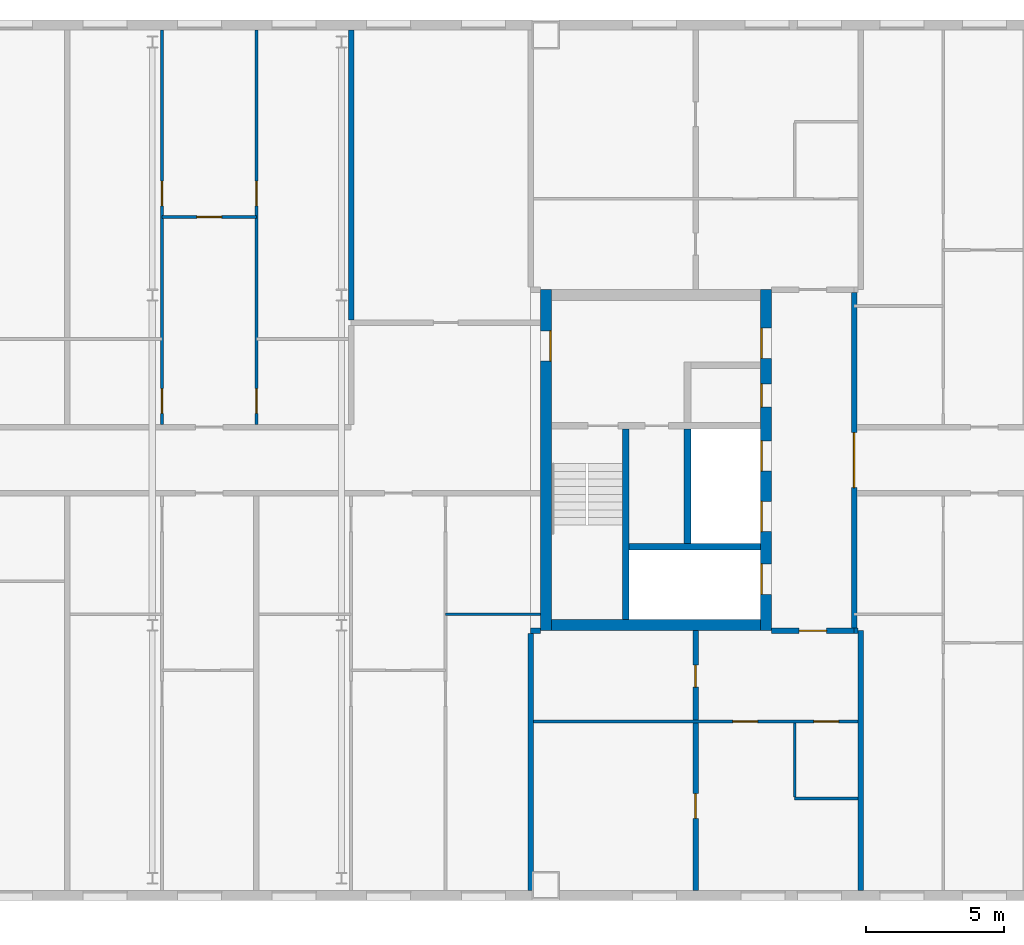
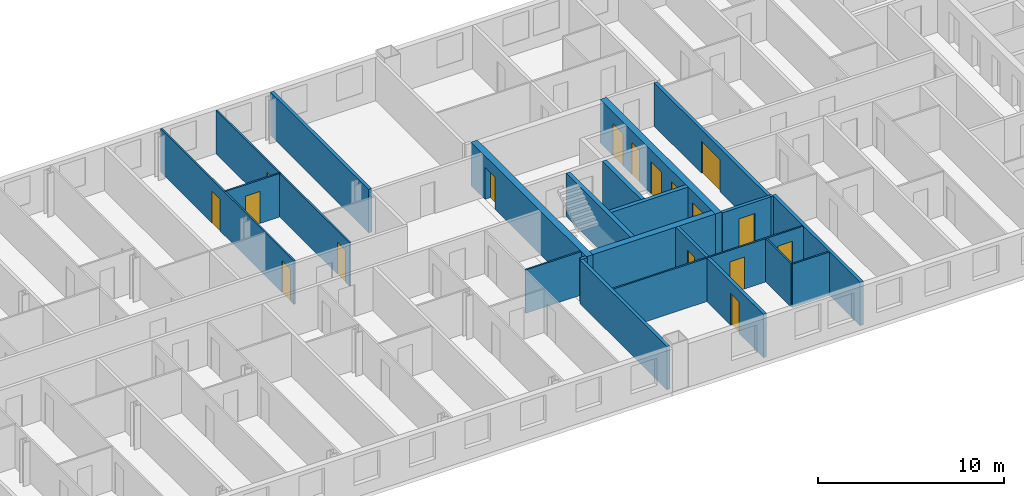
# One storey, part 13 of 19: 21 walls, 17 doors, 17 openings.
"""IFC4 building model written with IfcOpenShell, lengths in metres."""

from ifc_helpers import new_model, si_unit, direction, frame, frame_2d, origin, place, context, subcontext, project, spatial, rectangle, extrude, material, layer, layer_set, type_object, element, fill, save


model = new_model("IFC4")

# Units and contexts
model_context = context("Model", 3, precision=1e-05, world=origin(), true_north=direction((0.0, 1.0)))
body_context = subcontext(model_context, "Body", "Model", "MODEL_VIEW")
ifc_project = project(units=[si_unit("LENGTHUNIT", "METRE"), si_unit("AREAUNIT", "SQUARE_METRE"), si_unit("VOLUMEUNIT", "CUBIC_METRE"), si_unit("PLANEANGLEUNIT", "RADIAN"), si_unit("MASSUNIT", "GRAM", prefix="KILO")], contexts=[model_context])

# Site, building, storey
site_placement = place(None, origin())
site = spatial("IfcSite", under=ifc_project, at=site_placement, CompositionType="ELEMENT")
building_placement = place(site_placement, origin())
building = spatial("IfcBuilding", under=site, at=building_placement, Name="Tuart Gate Housing", CompositionType="ELEMENT")
storey_placement = place(building_placement, frame((0.0, 0.0, 212.10009765625)))
storey = spatial("IfcBuildingStorey", under=building, at=storey_placement, Name="L60", CompositionType="ELEMENT", Elevation=212.10009765625)

# Walls
ifc_material_1 = material(Name="Concrete C40", Category="concrete")
ifc_layer_1 = layer(ifc_material_1, 0.25)
ifc_layer_set_1 = layer_set([ifc_layer_1], Name="Core wall 250 C40")
wall_type_1 = type_object("IfcWallType", Name="Core wall 250 C40", PredefinedType="SHEAR", material=ifc_layer_set_1)
wall_1_placement = place(storey_placement, frame((139.360107421875, 66.85009765625, 0.0), z_axis=(0.0, 0.0, 1.0), x_axis=(-1.0, 0.0, 0.0)))
element("IfcWall", 1, at=wall_1_placement, inside=storey, type_object=wall_type_1, Name="Core wall BG.1", PredefinedType="SHEAR", context=body_context, shape_type="SweptSolid", body=[
    extrude(rectangle(XDim=4.775146484375, YDim=0.25, at=frame_2d((2.3876953125, 0.0))), origin(), (0.0, 0.0, 1.0), 2.849853515625),
])
wall_2_placement = place(storey_placement, frame((136.7099609375, 66.97509765625, 0.0), z_axis=(0.0, 0.0, 1.0), x_axis=(0.0, 1.0, 0.0)))
element("IfcWall", 2, at=wall_2_placement, inside=storey, type_object=wall_type_1, Name="Core wall BG.4", PredefinedType="SHEAR", context=body_context, shape_type="SweptSolid", body=[
    extrude(rectangle(XDim=4.14990234375, YDim=0.25, at=frame_2d((2.074951171875, 0.0))), origin(), (0.0, 0.0, 1.0), 2.849853515625),
])
wall_3_placement = place(storey_placement, frame((134.4599609375, 64.199951171875, 0.0), z_axis=(0.0, 0.0, 1.0), x_axis=(0.0, 1.0, 0.0)))
element("IfcWall", 3, at=wall_3_placement, inside=storey, type_object=wall_type_1, Name="Core wall BG.6", PredefinedType="SHEAR", context=body_context, shape_type="SweptSolid", body=[
    extrude(rectangle(XDim=6.925048828125, YDim=0.25, at=frame_2d((3.46240234375, 0.0))), origin(), (0.0, 0.0, 1.0), 2.849853515625),
])

# Wall, openings, doors
ifc_material_2 = material(Name="Concrete C40", Category="concrete")
ifc_layer_2 = layer(ifc_material_2, 0.39990234375)
ifc_layer_set_2 = layer_set([ifc_layer_2], Name="Core wall 400 C40")
wall_type_2 = type_object("IfcWallType", Name="Core wall 400 C40", PredefinedType="SHEAR", material=ifc_layer_set_2)
wall_4_placement = place(storey_placement, frame((139.56005859375, 63.800048828125, 0.0), z_axis=(0.0, 0.0, 1.0), x_axis=(0.0, 1.0, 0.0)))
wall_4 = element("IfcWall", 4, at=wall_4_placement, inside=storey, type_object=wall_type_2, Name="Core wall BG front", PredefinedType="SHEAR", context=body_context, shape_type="SweptSolid", body=[
    extrude(rectangle(XDim=12.39990234375, YDim=0.39990234375, at=frame_2d((6.199951171875, 0.0))), origin(), (0.0, 0.0, 1.0), 2.849853515625),
])
opening_1_placement = place(wall_4_placement, frame((1.324951171875, 0.0, 0.0)))
opening_1 = element("IfcOpeningElement", 5, at=opening_1_placement, cuts=wall_4, Name="Opening LD-FB1", PredefinedType="OPENING", context=body_context, shape_type="SweptSolid", body=[
    extrude(rectangle(XDim=1.10009765625, YDim=2.10009765625, at=frame_2d((0.550048828125, 1.050048828125))), frame((0.0, 0.2099609375, 0.0), z_axis=(0.0, -1.0, 0.0), x_axis=(1.0, 0.0, 0.0)), (0.0, 0.0, 1.0), 0.419921875),
])
opening_2_placement = place(wall_4_placement, frame((3.60009765625, 0.0, 0.0)))
opening_2 = element("IfcOpeningElement", 6, at=opening_2_placement, cuts=wall_4, Name="Opening LD-LB1", PredefinedType="OPENING", context=body_context, shape_type="SweptSolid", body=[
    extrude(rectangle(XDim=1.10009765625, YDim=2.10009765625, at=frame_2d((0.550048828125, 1.050048828125))), frame((0.0, 0.2099609375, 0.0), z_axis=(0.0, -1.0, 0.0), x_axis=(1.0, 0.0, 0.0)), (0.0, 0.0, 1.0), 0.419921875),
])
opening_3_placement = place(wall_4_placement, frame((5.800048828125, 0.0, 0.0)))
opening_3 = element("IfcOpeningElement", 7, at=opening_3_placement, cuts=wall_4, Name="Opening LD-LB2", PredefinedType="OPENING", context=body_context, shape_type="SweptSolid", body=[
    extrude(rectangle(XDim=1.10009765625, YDim=2.10009765625, at=frame_2d((0.550048828125, 1.050048828125))), frame((0.0, 0.2099609375, 0.0), z_axis=(0.0, -1.0, 0.0), x_axis=(1.0, 0.0, 0.0)), (0.0, 0.0, 1.0), 0.419921875),
])
opening_4_placement = place(wall_4_placement, frame((9.89990234375, 0.0, 0.0)))
opening_4 = element("IfcOpeningElement", 8, at=opening_4_placement, cuts=wall_4, Name="Opening D2246", PredefinedType="OPENING", context=body_context, shape_type="SweptSolid", body=[
    extrude(rectangle(XDim=1.10009765625, YDim=2.10009765625, at=frame_2d((0.550048828125, 1.050048828125))), frame((0.0, 0.2099609375, 0.0), z_axis=(0.0, -1.0, 0.0), x_axis=(1.0, 0.0, 0.0)), (0.0, 0.0, 1.0), 0.419921875),
])
opening_5_placement = place(wall_4_placement, frame((8.125, 0.0, 0.0)))
opening_5 = element("IfcOpeningElement", 9, at=opening_5_placement, cuts=wall_4, Name="Opening D2247", PredefinedType="OPENING", context=body_context, shape_type="SweptSolid", body=[
    extrude(rectangle(XDim=0.85009765625, YDim=2.10009765625, at=frame_2d((0.425048828125, 1.050048828125))), frame((0.0, 0.2099609375, 0.0), z_axis=(0.0, -1.0, 0.0), x_axis=(1.0, 0.0, 0.0)), (0.0, 0.0, 1.0), 0.419921875),
])
ifc_material_3 = material(Name="Stainless steel", Category="steel")
door_type_1 = type_object("IfcDoorType", Name="Landing door 1100 x 2100", OperationType="DOUBLE_DOOR_SLIDING", PredefinedType="DOOR", material=ifc_material_3)
door_1_placement = place(opening_1_placement, origin())
door_1 = element("IfcDoor", 10, at=door_1_placement, inside=storey, type_object=door_type_1, Name="Lift landing door FB1", OperationType="DOUBLE_DOOR_SLIDING", OverallHeight=2.10009765625, OverallWidth=1.10009765625, PredefinedType="DOOR", context=body_context, shape_type="SweptSolid", body=[
    extrude(rectangle(XDim=1.10009765625, YDim=2.10009765625, at=frame_2d((0.550048828125, 1.050048828125))), frame((0.0, 0.18505859375, 0.0), z_axis=(0.0, -1.0, 0.0), x_axis=(1.0, 0.0, 0.0)), (0.0, 0.0, 1.0), 0.050048828125),
])
fill(opening_1, door_1)
door_2_placement = place(opening_2_placement, origin())
door_2 = element("IfcDoor", 11, at=door_2_placement, inside=storey, type_object=door_type_1, Name="Lift landing door LB1", OperationType="DOUBLE_DOOR_SLIDING", OverallHeight=2.10009765625, OverallWidth=1.10009765625, PredefinedType="DOOR", context=body_context, shape_type="SweptSolid", body=[
    extrude(rectangle(XDim=1.10009765625, YDim=2.10009765625, at=frame_2d((0.550048828125, 1.050048828125))), frame((0.0, 0.18505859375, 0.0), z_axis=(0.0, -1.0, 0.0), x_axis=(1.0, 0.0, 0.0)), (0.0, 0.0, 1.0), 0.050048828125),
])
fill(opening_2, door_2)
door_3_placement = place(opening_3_placement, origin())
door_3 = element("IfcDoor", 12, at=door_3_placement, inside=storey, type_object=door_type_1, Name="Lift landing door LB2", OperationType="DOUBLE_DOOR_SLIDING", OverallHeight=2.10009765625, OverallWidth=1.10009765625, PredefinedType="DOOR", context=body_context, shape_type="SweptSolid", body=[
    extrude(rectangle(XDim=1.10009765625, YDim=2.10009765625, at=frame_2d((0.550048828125, 1.050048828125))), frame((0.0, 0.18505859375, 0.0), z_axis=(0.0, -1.0, 0.0), x_axis=(1.0, 0.0, 0.0)), (0.0, 0.0, 1.0), 0.050048828125),
])
fill(opening_3, door_3)
ifc_material_4 = material(Name="Steel fire door", Category="steel")
door_type_2 = type_object("IfcDoorType", Name="Lobby door 1100 x 2100", OperationType="SINGLE_SWING_LEFT", PredefinedType="DOOR", material=ifc_material_4)
door_4_placement = place(opening_4_placement, origin())
door_4 = element("IfcDoor", 13, at=door_4_placement, inside=storey, type_object=door_type_2, Name="Lobby entry door BG.EN", OperationType="SINGLE_SWING_LEFT", OverallHeight=2.10009765625, OverallWidth=1.10009765625, PredefinedType="DOOR", context=body_context, shape_type="SweptSolid", body=[
    extrude(rectangle(XDim=1.10009765625, YDim=2.10009765625, at=frame_2d((0.550048828125, 1.050048828125))), frame((0.0, 0.18505859375, 0.0), z_axis=(0.0, -1.0, 0.0), x_axis=(1.0, 0.0, 0.0)), (0.0, 0.0, 1.0), 0.050048828125),
])
fill(opening_4, door_4)
ifc_material_5 = material(Name="Steel fire door", Category="steel")
door_type_3 = type_object("IfcDoorType", Name="Service door 850 x 2100", OperationType="SINGLE_SWING_LEFT", PredefinedType="DOOR", material=ifc_material_5)
door_5_placement = place(opening_5_placement, origin())
door_5 = element("IfcDoor", 14, at=door_5_placement, inside=storey, type_object=door_type_3, Name="Service room door BG.T1", OperationType="SINGLE_SWING_LEFT", OverallHeight=2.10009765625, OverallWidth=0.85009765625, PredefinedType="DOOR", context=body_context, shape_type="SweptSolid", body=[
    extrude(rectangle(XDim=0.85009765625, YDim=2.10009765625, at=frame_2d((0.425048828125, 1.050048828125))), frame((0.0, 0.18505859375, 0.0), z_axis=(0.0, -1.0, 0.0), x_axis=(1.0, 0.0, 0.0)), (0.0, 0.0, 1.0), 0.050048828125),
])
fill(opening_5, door_5)

# Wall, opening, door
wall_5_placement = place(storey_placement, frame((131.56005859375, 63.800048828125, 0.0), z_axis=(0.0, 0.0, 1.0), x_axis=(0.0, 1.0, 0.0)))
wall_5 = element("IfcWall", 15, at=wall_5_placement, inside=storey, type_object=wall_type_2, Name="Core wall BG back", PredefinedType="SHEAR", context=body_context, shape_type="SweptSolid", body=[
    extrude(rectangle(XDim=12.39990234375, YDim=0.39990234375, at=frame_2d((6.199951171875, 0.0))), origin(), (0.0, 0.0, 1.0), 2.849853515625),
])
opening_6_placement = place(wall_5_placement, frame((9.800048828125, 0.0, 0.0)))
opening_6 = element("IfcOpeningElement", 16, at=opening_6_placement, cuts=wall_5, Name="Opening D2245", PredefinedType="OPENING", context=body_context, shape_type="SweptSolid", body=[
    extrude(rectangle(XDim=1.10009765625, YDim=2.10009765625, at=frame_2d((0.550048828125, 1.050048828125))), frame((0.0, 0.2099609375, 0.0), z_axis=(0.0, -1.0, 0.0), x_axis=(1.0, 0.0, 0.0)), (0.0, 0.0, 1.0), 0.419921875),
])
door_6_placement = place(opening_6_placement, frame((1.10009765625, 0.0, 0.0), z_axis=(0.0, 0.0, 1.0), x_axis=(-1.0, 0.0, 0.0)))
door_6 = element("IfcDoor", 17, at=door_6_placement, inside=storey, type_object=door_type_2, Name="Link door BG.LK", OperationType="SINGLE_SWING_LEFT", OverallHeight=2.10009765625, OverallWidth=1.10009765625, PredefinedType="DOOR", context=body_context, shape_type="SweptSolid", body=[
    extrude(rectangle(XDim=1.10009765625, YDim=2.10009765625, at=frame_2d((0.550048828125, 1.050048828125))), frame((0.0, 0.184814453125, 0.0), z_axis=(0.0, -1.0, 0.0), x_axis=(1.0, 0.0, 0.0)), (0.0, 0.0, 1.0), 0.050048828125),
])
fill(opening_6, door_6)

# Wall
wall_6_placement = place(storey_placement, frame((139.360107421875, 64.0, 0.0), z_axis=(0.0, 0.0, 1.0), x_axis=(-1.0, 0.0, 0.0)))
element("IfcWall", 18, at=wall_6_placement, inside=storey, type_object=wall_type_2, Name="Core wall BG south", PredefinedType="SHEAR", context=body_context, shape_type="SweptSolid", body=[
    extrude(rectangle(XDim=7.60009765625, YDim=0.39990234375, at=frame_2d((3.800048828125, 0.0))), origin(), (0.0, 0.0, 1.0), 2.849853515625),
])

# Wall, opening, door
ifc_material_6 = material(Name="Concrete masonry 15 MPa", Category="masonry")
ifc_layer_3 = layer(ifc_material_6, 0.199951171875)
ifc_layer_set_3 = layer_set([ifc_layer_3], Name="Enclosure wall masonry 200")
wall_type_3 = type_object("IfcWallType", Name="Enclosure wall masonry 200", PredefinedType="PARTITIONING", material=ifc_layer_set_3)
wall_7_placement = place(storey_placement, frame((139.760009765625, 63.800048828125, 0.0), z_axis=(0.0, 0.0, 1.0), x_axis=(1.0, 0.0, 0.0)))
wall_7 = element("IfcWall", 19, at=wall_7_placement, inside=storey, type_object=wall_type_3, Name="Enclosure wall masonry 200", PredefinedType="PARTITIONING", context=body_context, shape_type="SweptSolid", body=[
    extrude(rectangle(XDim=3.0, YDim=0.199951171875, at=frame_2d((1.5, 0.0))), origin(), (0.0, 0.0, 1.0), 2.849853515625),
])
opening_7_placement = place(wall_7_placement, frame((1.0, 0.0, 0.0)))
opening_7 = element("IfcOpeningElement", 20, at=opening_7_placement, cuts=wall_7, Name="Opening D2259", PredefinedType="OPENING", context=body_context, shape_type="SweptSolid", body=[
    extrude(rectangle(XDim=1.0, YDim=2.10009765625, at=frame_2d((0.5, 1.050048828125))), frame((0.0, 0.10986328125, 0.0), z_axis=(0.0, -1.0, 0.0), x_axis=(1.0, 0.0, 0.0)), (0.0, 0.0, 1.0), 0.219970703125),
])
ifc_material_7 = material(Name="Timber door leaf in steel frame", Category="steel")
door_type_4 = type_object("IfcDoorType", Name="Flat entrance door 1000", OperationType="SINGLE_SWING_LEFT", PredefinedType="DOOR", material=ifc_material_7)
door_7_placement = place(opening_7_placement, frame((1.0, 0.0, 0.0), z_axis=(0.0, 0.0, 1.0), x_axis=(-1.0, 0.0, 0.0)))
door_7 = element("IfcDoor", 21, at=door_7_placement, inside=storey, type_object=door_type_4, Name="Flat entrance door", OperationType="SINGLE_SWING_LEFT", OverallHeight=2.10009765625, OverallWidth=1.0, PredefinedType="DOOR", context=body_context, shape_type="SweptSolid", body=[
    extrude(rectangle(XDim=1.0, YDim=2.10009765625, at=frame_2d((0.5, 1.050048828125))), frame((0.0, 0.025146484375, 0.0), z_axis=(0.0, -1.0, 0.0), x_axis=(1.0, 0.0, 0.0)), (0.0, 0.0, 1.0), 0.050048828125),
])
fill(opening_7, door_7)

ifc_material_8 = material(Name="Plasterboard partition")
ifc_layer_4 = layer(ifc_material_8, 0.199951171875)
ifc_layer_set_4 = layer_set([ifc_layer_4], Name="Lobby wall 200")
wall_type_4 = type_object("IfcWallType", Name="Lobby wall 200", PredefinedType="PARTITIONING", material=ifc_layer_set_4)
wall_8_placement = place(storey_placement, frame((142.760009765625, 63.89990234375, 0.0), z_axis=(0.0, 0.0, 1.0), x_axis=(0.0, 1.0, 0.0)))
wall_8 = element("IfcWall", 22, at=wall_8_placement, inside=storey, type_object=wall_type_4, Name="Lift lobby wall BG", PredefinedType="PARTITIONING", context=body_context, shape_type="SweptSolid", body=[
    extrude(rectangle(XDim=12.2001953125, YDim=0.199951171875, at=frame_2d((6.10009765625, 0.0))), origin(), (0.0, 0.0, 1.0), 2.849853515625),
])
opening_8_placement = place(wall_8_placement, frame((5.10009765625, 0.0, 0.0)))
opening_8 = element("IfcOpeningElement", 23, at=opening_8_placement, cuts=wall_8, Name="Opening D2248", PredefinedType="OPENING", context=body_context, shape_type="SweptSolid", body=[
    extrude(rectangle(XDim=2.0, YDim=2.10009765625, at=frame_2d((1.0, 1.050048828125))), frame((0.0, 0.10986328125, 0.0), z_axis=(0.0, -1.0, 0.0), x_axis=(1.0, 0.0, 0.0)), (0.0, 0.0, 1.0), 0.219970703125),
])
ifc_material_9 = material(Name="Steel fire door", Category="steel")
door_type_5 = type_object("IfcDoorType", Name="Smoke door 2000 x 2100", OperationType="DOUBLE_DOOR_SINGLE_SWING", PredefinedType="DOOR", material=ifc_material_9)
door_8_placement = place(opening_8_placement, origin())
door_8 = element("IfcDoor", 24, at=door_8_placement, inside=storey, type_object=door_type_5, Name="Lift lobby smoke door BG", OperationType="DOUBLE_DOOR_SINGLE_SWING", OverallHeight=2.10009765625, OverallWidth=2.0, PredefinedType="DOOR", context=body_context, shape_type="SweptSolid", body=[
    extrude(rectangle(XDim=2.0, YDim=2.10009765625, at=frame_2d((1.0, 1.050048828125))), frame((0.0, 0.02490234375, 0.0), z_axis=(0.0, -1.0, 0.0), x_axis=(1.0, 0.0, 0.0)), (0.0, 0.0, 1.0), 0.050048828125),
])
fill(opening_8, door_8)

# Wall
ifc_material_10 = material(Name="Gypsum board on steel studs", Category="steel")
ifc_layer_5 = layer(ifc_material_10, 0.10009765625)
ifc_layer_set_5 = layer_set([ifc_layer_5], Name="Partition 100")
wall_type_5 = type_object("IfcWallType", Name="Partition 100", PredefinedType="PARTITIONING", material=ifc_layer_set_5)
wall_9_placement = place(storey_placement, frame((140.60009765625, 57.699951171875, 0.0), z_axis=(0.0, 0.0, 1.0), x_axis=(1.0, 0.0, 0.0)))
element("IfcWall", 25, at=wall_9_placement, inside=storey, type_object=wall_type_5, Name="Partition 100", PredefinedType="PARTITIONING", context=body_context, shape_type="SweptSolid", body=[
    extrude(rectangle(XDim=2.2998046875, YDim=0.10009765625, at=frame_2d((1.14990234375, 0.0))), origin(), (0.0, 0.0, 1.0), 2.849853515625),
])

# Wall, openings, doors
wall_10_placement = place(storey_placement, frame((131.10009765625, 60.5, 0.0), z_axis=(0.0, 0.0, 1.0), x_axis=(1.0, 0.0, 0.0)))
wall_10 = element("IfcWall", 26, at=wall_10_placement, inside=storey, type_object=wall_type_5, Name="Partition 100", PredefinedType="PARTITIONING", context=body_context, shape_type="SweptSolid", body=[
    extrude(rectangle(XDim=11.7998046875, YDim=0.10009765625, at=frame_2d((5.89990234375, 0.0))), origin(), (0.0, 0.0, 1.0), 2.849853515625),
])
opening_9_placement = place(wall_10_placement, frame((7.25, 0.0, 0.0)))
opening_9 = element("IfcOpeningElement", 27, at=opening_9_placement, cuts=wall_10, Name="Opening D2268", PredefinedType="OPENING", context=body_context, shape_type="SweptSolid", body=[
    extrude(rectangle(XDim=0.89990234375, YDim=2.10009765625, at=frame_2d((0.449951171875, 1.050048828125))), frame((0.0, 0.06005859375, 0.0), z_axis=(0.0, -1.0, 0.0), x_axis=(1.0, 0.0, 0.0)), (0.0, 0.0, 1.0), 0.1201171875),
])
opening_10_placement = place(wall_10_placement, frame((10.199951171875, 0.0, 0.0)))
opening_10 = element("IfcOpeningElement", 28, at=opening_10_placement, cuts=wall_10, Name="Opening D2267", PredefinedType="OPENING", context=body_context, shape_type="SweptSolid", body=[
    extrude(rectangle(XDim=0.89990234375, YDim=2.10009765625, at=frame_2d((0.449951171875, 1.050048828125))), frame((0.0, 0.06005859375, 0.0), z_axis=(0.0, -1.0, 0.0), x_axis=(1.0, 0.0, 0.0)), (0.0, 0.0, 1.0), 0.1201171875),
])
ifc_material_11 = material(Name="Timber door leaf in steel frame", Category="steel")
door_type_6 = type_object("IfcDoorType", Name="Bathroom door 900 RH", OperationType="SINGLE_SWING_RIGHT", PredefinedType="DOOR", material=ifc_material_11)
door_9_placement = place(opening_10_placement, frame((0.89990234375, 0.0, 0.0), z_axis=(0.0, 0.0, 1.0), x_axis=(-1.0, 0.0, 0.0)))
door_9 = element("IfcDoor", 29, at=door_9_placement, inside=storey, type_object=door_type_6, Name="Bathroom door", OperationType="SINGLE_SWING_RIGHT", OverallHeight=2.10009765625, OverallWidth=0.89990234375, PredefinedType="DOOR", context=body_context, shape_type="SweptSolid", body=[
    extrude(rectangle(XDim=0.89990234375, YDim=2.10009765625, at=frame_2d((0.449951171875, 1.050048828125))), frame((0.0, 0.025146484375, 0.0), z_axis=(0.0, -1.0, 0.0), x_axis=(1.0, 0.0, 0.0)), (0.0, 0.0, 1.0), 0.050048828125),
])
fill(opening_10, door_9)
ifc_material_12 = material(Name="Timber door leaf in steel frame", Category="steel")
door_type_7 = type_object("IfcDoorType", Name="Internal door 900", OperationType="SINGLE_SWING_LEFT", PredefinedType="DOOR", material=ifc_material_12)
door_10_placement = place(opening_9_placement, origin())
door_10 = element("IfcDoor", 30, at=door_10_placement, inside=storey, type_object=door_type_7, Name="Internal door", OperationType="SINGLE_SWING_LEFT", OverallHeight=2.10009765625, OverallWidth=0.89990234375, PredefinedType="DOOR", context=body_context, shape_type="SweptSolid", body=[
    extrude(rectangle(XDim=0.89990234375, YDim=2.10009765625, at=frame_2d((0.449951171875, 1.050048828125))), frame((0.0, 0.02490234375, 0.0), z_axis=(0.0, -1.0, 0.0), x_axis=(1.0, 0.0, 0.0)), (0.0, 0.0, 1.0), 0.050048828125),
])
fill(opening_9, door_10)

# Wall
wall_11_placement = place(storey_placement, frame((127.912109375, 64.39990234375, 0.0), z_axis=(0.0, 0.0, 1.0), x_axis=(1.0, 0.0, 0.0)))
element("IfcWall", 31, at=wall_11_placement, inside=storey, type_object=wall_type_5, Name="Partition 100", PredefinedType="PARTITIONING", context=body_context, shape_type="SweptSolid", body=[
    extrude(rectangle(XDim=3.447998046875, YDim=0.10009765625, at=frame_2d((1.72412109375, 0.0))), origin(), (0.0, 0.0, 1.0), 2.849853515625),
])

# Wall, opening, door
wall_12_placement = place(storey_placement, frame((117.60009765625, 78.840087890625, 0.0), z_axis=(0.0, 0.0, 1.0), x_axis=(1.0, 0.0, 0.0)))
wall_12 = element("IfcWall", 32, at=wall_12_placement, inside=storey, type_object=wall_type_5, Name="Partition 100", PredefinedType="PARTITIONING", context=body_context, shape_type="SweptSolid", body=[
    extrude(rectangle(XDim=3.43701171875, YDim=0.10009765625, at=frame_2d((1.718505859375, 0.0))), origin(), (0.0, 0.0, 1.0), 2.849853515625),
])
opening_11_placement = place(wall_12_placement, frame((1.2685546875, 0.0, 0.0)))
opening_11 = element("IfcOpeningElement", 33, at=opening_11_placement, cuts=wall_12, Name="Opening D2168", PredefinedType="OPENING", context=body_context, shape_type="SweptSolid", body=[
    extrude(rectangle(XDim=0.89990234375, YDim=2.10009765625, at=frame_2d((0.449951171875, 1.050048828125))), frame((0.0, 0.06005859375, 0.0), z_axis=(0.0, -1.0, 0.0), x_axis=(1.0, 0.0, 0.0)), (0.0, 0.0, 1.0), 0.1201171875),
])
ifc_material_13 = material(Name="Timber door leaf in steel frame", Category="steel")
door_type_8 = type_object("IfcDoorType", Name="Internal door 900 RH", OperationType="SINGLE_SWING_RIGHT", PredefinedType="DOOR", material=ifc_material_13)
door_11_placement = place(opening_11_placement, frame((0.89990234375, 0.0, 0.0), z_axis=(0.0, 0.0, 1.0), x_axis=(-1.0, 0.0, 0.0)))
door_11 = element("IfcDoor", 34, at=door_11_placement, inside=storey, type_object=door_type_8, Name="Internal door", OperationType="SINGLE_SWING_RIGHT", OverallHeight=2.10009765625, OverallWidth=0.89990234375, PredefinedType="DOOR", context=body_context, shape_type="SweptSolid", body=[
    extrude(rectangle(XDim=0.89990234375, YDim=2.10009765625, at=frame_2d((0.449951171875, 1.050048828125))), frame((0.0, 0.025146484375, 0.0), z_axis=(0.0, -1.0, 0.0), x_axis=(1.0, 0.0, 0.0)), (0.0, 0.0, 1.0), 0.050048828125),
])
fill(opening_11, door_11)

# Wall, openings, doors
wall_13_placement = place(storey_placement, frame((117.60009765625, 71.300048828125, 0.0), z_axis=(0.0, 0.0, 1.0), x_axis=(0.0, 1.0, 0.0)))
wall_13 = element("IfcWall", 35, at=wall_13_placement, inside=storey, type_object=wall_type_5, Name="Partition 100", PredefinedType="PARTITIONING", context=body_context, shape_type="SweptSolid", body=[
    extrude(rectangle(XDim=14.33984375, YDim=0.10009765625, at=frame_2d((7.169921875, 0.0))), origin(), (0.0, 0.0, 1.0), 2.849853515625),
])
opening_12_placement = place(wall_13_placement, frame((7.93994140625, 0.0, 0.0)))
opening_12 = element("IfcOpeningElement", 36, at=opening_12_placement, cuts=wall_13, Name="Opening D2182", PredefinedType="OPENING", context=body_context, shape_type="SweptSolid", body=[
    extrude(rectangle(XDim=0.89990234375, YDim=2.10009765625, at=frame_2d((0.449951171875, 1.050048828125))), frame((0.0, 0.06005859375, 0.0), z_axis=(0.0, -1.0, 0.0), x_axis=(1.0, 0.0, 0.0)), (0.0, 0.0, 1.0), 0.1201171875),
])
opening_13_placement = place(wall_13_placement, frame((0.39990234375, 0.0, 0.0)))
opening_13 = element("IfcOpeningElement", 37, at=opening_13_placement, cuts=wall_13, Name="Opening D2181", PredefinedType="OPENING", context=body_context, shape_type="SweptSolid", body=[
    extrude(rectangle(XDim=0.89990234375, YDim=2.10009765625, at=frame_2d((0.449951171875, 1.050048828125))), frame((0.0, 0.06005859375, 0.0), z_axis=(0.0, -1.0, 0.0), x_axis=(1.0, 0.0, 0.0)), (0.0, 0.0, 1.0), 0.1201171875),
])
ifc_material_14 = material(Name="Timber door leaf in steel frame", Category="steel")
door_type_9 = type_object("IfcDoorType", Name="Bathroom door 900", OperationType="SINGLE_SWING_LEFT", PredefinedType="DOOR", material=ifc_material_14)
door_12_placement = place(opening_13_placement, origin())
door_12 = element("IfcDoor", 38, at=door_12_placement, inside=storey, type_object=door_type_9, Name="Bathroom door", OperationType="SINGLE_SWING_LEFT", OverallHeight=2.10009765625, OverallWidth=0.89990234375, PredefinedType="DOOR", context=body_context, shape_type="SweptSolid", body=[
    extrude(rectangle(XDim=0.89990234375, YDim=2.10009765625, at=frame_2d((0.449951171875, 1.050048828125))), frame((0.0, 0.02490234375, 0.0), z_axis=(0.0, -1.0, 0.0), x_axis=(1.0, 0.0, 0.0)), (0.0, 0.0, 1.0), 0.050048828125),
])
fill(opening_13, door_12)
door_13_placement = place(opening_12_placement, origin())
door_13 = element("IfcDoor", 39, at=door_13_placement, inside=storey, type_object=door_type_7, Name="Internal door", OperationType="SINGLE_SWING_LEFT", OverallHeight=2.10009765625, OverallWidth=0.89990234375, PredefinedType="DOOR", context=body_context, shape_type="SweptSolid", body=[
    extrude(rectangle(XDim=0.89990234375, YDim=2.10009765625, at=frame_2d((0.449951171875, 1.050048828125))), frame((0.0, 0.02490234375, 0.0), z_axis=(0.0, -1.0, 0.0), x_axis=(1.0, 0.0, 0.0)), (0.0, 0.0, 1.0), 0.050048828125),
])
fill(opening_12, door_13)

wall_14_placement = place(storey_placement, frame((121.037109375, 71.300048828125, 0.0), z_axis=(0.0, 0.0, 1.0), x_axis=(0.0, 1.0, 0.0)))
wall_14 = element("IfcWall", 40, at=wall_14_placement, inside=storey, type_object=wall_type_5, Name="Partition 100", PredefinedType="PARTITIONING", context=body_context, shape_type="SweptSolid", body=[
    extrude(rectangle(XDim=14.33984375, YDim=0.10009765625, at=frame_2d((7.169921875, 0.0))), origin(), (0.0, 0.0, 1.0), 2.849853515625),
])
opening_14_placement = place(wall_14_placement, frame((7.93994140625, 0.0, 0.0)))
opening_14 = element("IfcOpeningElement", 41, at=opening_14_placement, cuts=wall_14, Name="Opening D2184", PredefinedType="OPENING", context=body_context, shape_type="SweptSolid", body=[
    extrude(rectangle(XDim=0.89990234375, YDim=2.10009765625, at=frame_2d((0.449951171875, 1.050048828125))), frame((0.0, 0.06005859375, 0.0), z_axis=(0.0, -1.0, 0.0), x_axis=(1.0, 0.0, 0.0)), (0.0, 0.0, 1.0), 0.1201171875),
])
opening_15_placement = place(wall_14_placement, frame((0.39990234375, 0.0, 0.0)))
opening_15 = element("IfcOpeningElement", 42, at=opening_15_placement, cuts=wall_14, Name="Opening D2183", PredefinedType="OPENING", context=body_context, shape_type="SweptSolid", body=[
    extrude(rectangle(XDim=0.89990234375, YDim=2.10009765625, at=frame_2d((0.449951171875, 1.050048828125))), frame((0.0, 0.06005859375, 0.0), z_axis=(0.0, -1.0, 0.0), x_axis=(1.0, 0.0, 0.0)), (0.0, 0.0, 1.0), 0.1201171875),
])
door_14_placement = place(opening_15_placement, frame((0.89990234375, 0.0, 0.0), z_axis=(0.0, 0.0, 1.0), x_axis=(-1.0, 0.0, 0.0)))
door_14 = element("IfcDoor", 43, at=door_14_placement, inside=storey, type_object=door_type_6, Name="Bathroom door", OperationType="SINGLE_SWING_RIGHT", OverallHeight=2.10009765625, OverallWidth=0.89990234375, PredefinedType="DOOR", context=body_context, shape_type="SweptSolid", body=[
    extrude(rectangle(XDim=0.89990234375, YDim=2.10009765625, at=frame_2d((0.449951171875, 1.050048828125))), frame((0.0, 0.025146484375, 0.0), z_axis=(0.0, -1.0, 0.0), x_axis=(1.0, 0.0, 0.0)), (0.0, 0.0, 1.0), 0.050048828125),
])
fill(opening_15, door_14)
door_15_placement = place(opening_14_placement, frame((0.89990234375, 0.0, 0.0), z_axis=(0.0, 0.0, 1.0), x_axis=(-1.0, 0.0, 0.0)))
door_15 = element("IfcDoor", 44, at=door_15_placement, inside=storey, type_object=door_type_8, Name="Internal door", OperationType="SINGLE_SWING_RIGHT", OverallHeight=2.10009765625, OverallWidth=0.89990234375, PredefinedType="DOOR", context=body_context, shape_type="SweptSolid", body=[
    extrude(rectangle(XDim=0.89990234375, YDim=2.10009765625, at=frame_2d((0.449951171875, 1.050048828125))), frame((0.0, 0.025146484375, 0.0), z_axis=(0.0, -1.0, 0.0), x_axis=(1.0, 0.0, 0.0)), (0.0, 0.0, 1.0), 0.050048828125),
])
fill(opening_14, door_15)

# Wall
wall_15_placement = place(storey_placement, frame((140.60009765625, 57.75, 0.0), z_axis=(0.0, 0.0, 1.0), x_axis=(0.0, 1.0, 0.0)))
element("IfcWall", 45, at=wall_15_placement, inside=storey, type_object=wall_type_5, Name="Partition 100", PredefinedType="PARTITIONING", context=body_context, shape_type="SweptSolid", body=[
    extrude(rectangle(XDim=2.699951171875, YDim=0.10009765625, at=frame_2d((1.35009765625, 0.0))), origin(), (0.0, 0.0, 1.0), 2.849853515625),
])

# Wall, openings, doors
ifc_material_15 = material(Name="Concrete C40", Category="concrete")
ifc_layer_6 = layer(ifc_material_15, 0.199951171875)
ifc_layer_set_6 = layer_set([ifc_layer_6], Name="Party wall concrete C40 200")
wall_type_6 = type_object("IfcWallType", Name="Party wall concrete C40 200", PredefinedType="SOLIDWALL", material=ifc_layer_set_6)
wall_16_placement = place(storey_placement, frame((137.0, 54.360107421875, 0.0), z_axis=(0.0, 0.0, 1.0), x_axis=(0.0, 1.0, 0.0)))
wall_16 = element("IfcWall", 46, at=wall_16_placement, inside=storey, type_object=wall_type_6, Name="Party wall concrete C40 200", PredefinedType="SOLIDWALL", context=body_context, shape_type="SweptSolid", body=[
    extrude(rectangle(XDim=9.43994140625, YDim=0.199951171875, at=frame_2d((4.719970703125, 0.0))), origin(), (0.0, 0.0, 1.0), 2.849853515625),
])
opening_16_placement = place(wall_16_placement, frame((2.6201171875, 0.0, 0.0)))
opening_16 = element("IfcOpeningElement", 47, at=opening_16_placement, cuts=wall_16, Name="Opening D2271", PredefinedType="OPENING", context=body_context, shape_type="SweptSolid", body=[
    extrude(rectangle(XDim=0.89990234375, YDim=2.10009765625, at=frame_2d((0.449951171875, 1.050048828125))), frame((0.0, 0.10986328125, 0.0), z_axis=(0.0, -1.0, 0.0), x_axis=(1.0, 0.0, 0.0)), (0.0, 0.0, 1.0), 0.219970703125),
])
opening_17_placement = place(wall_16_placement, frame((7.389892578125, 0.0, 0.0)))
opening_17 = element("IfcOpeningElement", 48, at=opening_17_placement, cuts=wall_16, Name="Opening D2272", PredefinedType="OPENING", context=body_context, shape_type="SweptSolid", body=[
    extrude(rectangle(XDim=0.800048828125, YDim=2.10009765625, at=frame_2d((0.39990234375, 1.050048828125))), frame((0.0, 0.10986328125, 0.0), z_axis=(0.0, -1.0, 0.0), x_axis=(1.0, 0.0, 0.0)), (0.0, 0.0, 1.0), 0.219970703125),
])
door_16_placement = place(opening_16_placement, origin())
door_16 = element("IfcDoor", 49, at=door_16_placement, inside=storey, type_object=door_type_7, Name="Internal door", OperationType="SINGLE_SWING_LEFT", OverallHeight=2.10009765625, OverallWidth=0.89990234375, PredefinedType="DOOR", context=body_context, shape_type="SweptSolid", body=[
    extrude(rectangle(XDim=0.89990234375, YDim=2.10009765625, at=frame_2d((0.449951171875, 1.050048828125))), frame((0.0, 0.02490234375, 0.0), z_axis=(0.0, -1.0, 0.0), x_axis=(1.0, 0.0, 0.0)), (0.0, 0.0, 1.0), 0.050048828125),
])
fill(opening_16, door_16)
ifc_material_16 = material(Name="Timber door leaf in steel frame", Category="steel")
door_type_10 = type_object("IfcDoorType", Name="Store door 800", OperationType="SINGLE_SWING_LEFT", PredefinedType="DOOR", material=ifc_material_16)
door_17_placement = place(opening_17_placement, origin())
door_17 = element("IfcDoor", 50, at=door_17_placement, inside=storey, type_object=door_type_10, Name="Store door", OperationType="SINGLE_SWING_LEFT", OverallHeight=2.10009765625, OverallWidth=0.800048828125, PredefinedType="DOOR", context=body_context, shape_type="SweptSolid", body=[
    extrude(rectangle(XDim=0.800048828125, YDim=2.10009765625, at=frame_2d((0.39990234375, 1.050048828125))), frame((0.0, 0.02490234375, 0.0), z_axis=(0.0, -1.0, 0.0), x_axis=(1.0, 0.0, 0.0)), (0.0, 0.0, 1.0), 0.050048828125),
])
fill(opening_17, door_17)

# Walls
wall_17_placement = place(storey_placement, frame((143.0, 54.360107421875, 0.0), z_axis=(0.0, 0.0, 1.0), x_axis=(0.0, 1.0, 0.0)))
element("IfcWall", 51, at=wall_17_placement, inside=storey, type_object=wall_type_6, Name="Party wall concrete C40 200", PredefinedType="SOLIDWALL", context=body_context, shape_type="SweptSolid", body=[
    extrude(rectangle(XDim=9.43994140625, YDim=0.199951171875, at=frame_2d((4.719970703125, 0.0))), origin(), (0.0, 0.0, 1.0), 2.849853515625),
])
ifc_material_17 = material(Name="Concrete masonry 15 MPa", Category="masonry")
ifc_layer_7 = layer(ifc_material_17, 0.199951171875)
ifc_layer_set_7 = layer_set([ifc_layer_7], Name="Party wall masonry 200")
wall_type_7 = type_object("IfcWallType", Name="Party wall masonry 200", PredefinedType="PARTITIONING", material=ifc_layer_set_7)
wall_18_placement = place(storey_placement, frame((131.0, 63.800048828125, 0.0), z_axis=(0.0, 0.0, 1.0), x_axis=(1.0, 0.0, 0.0)))
element("IfcWall", 52, at=wall_18_placement, inside=storey, type_object=wall_type_7, Name="Party wall masonry 200", PredefinedType="PARTITIONING", context=body_context, shape_type="SweptSolid", body=[
    extrude(rectangle(XDim=0.360107421875, YDim=0.199951171875, at=frame_2d((0.18017578125, 0.0))), origin(), (0.0, 0.0, 1.0), 2.849853515625),
])
wall_19_placement = place(storey_placement, frame((142.760009765625, 63.800048828125, 0.0), z_axis=(0.0, 0.0, 1.0), x_axis=(1.0, 0.0, 0.0)))
element("IfcWall", 53, at=wall_19_placement, inside=storey, type_object=wall_type_7, Name="Party wall masonry 200", PredefinedType="PARTITIONING", context=body_context, shape_type="SweptSolid", body=[
    extrude(rectangle(XDim=0.139892578125, YDim=0.199951171875, at=frame_2d((0.06982421875, 0.0))), origin(), (0.0, 0.0, 1.0), 2.849853515625),
])
wall_20_placement = place(storey_placement, frame((124.47509765625, 75.10009765625, 0.0), z_axis=(0.0, 0.0, 1.0), x_axis=(0.0, 1.0, 0.0)))
element("IfcWall", 54, at=wall_20_placement, inside=storey, type_object=wall_type_7, Name="Party wall masonry 200", PredefinedType="PARTITIONING", context=body_context, shape_type="SweptSolid", body=[
    extrude(rectangle(XDim=10.539794921875, YDim=0.199951171875, at=frame_2d((5.27001953125, 0.0))), origin(), (0.0, 0.0, 1.0), 2.849853515625),
])
wall_21_placement = place(storey_placement, frame((131.0, 54.360107421875, 0.0), z_axis=(0.0, 0.0, 1.0), x_axis=(0.0, 1.0, 0.0)))
element("IfcWall", 55, at=wall_21_placement, inside=storey, type_object=wall_type_7, Name="Party wall masonry 200", PredefinedType="PARTITIONING", context=body_context, shape_type="SweptSolid", body=[
    extrude(rectangle(XDim=9.33984375, YDim=0.199951171875, at=frame_2d((4.669921875, 0.0))), origin(), (0.0, 0.0, 1.0), 2.849853515625),
])

save(model, "model.ifc")
